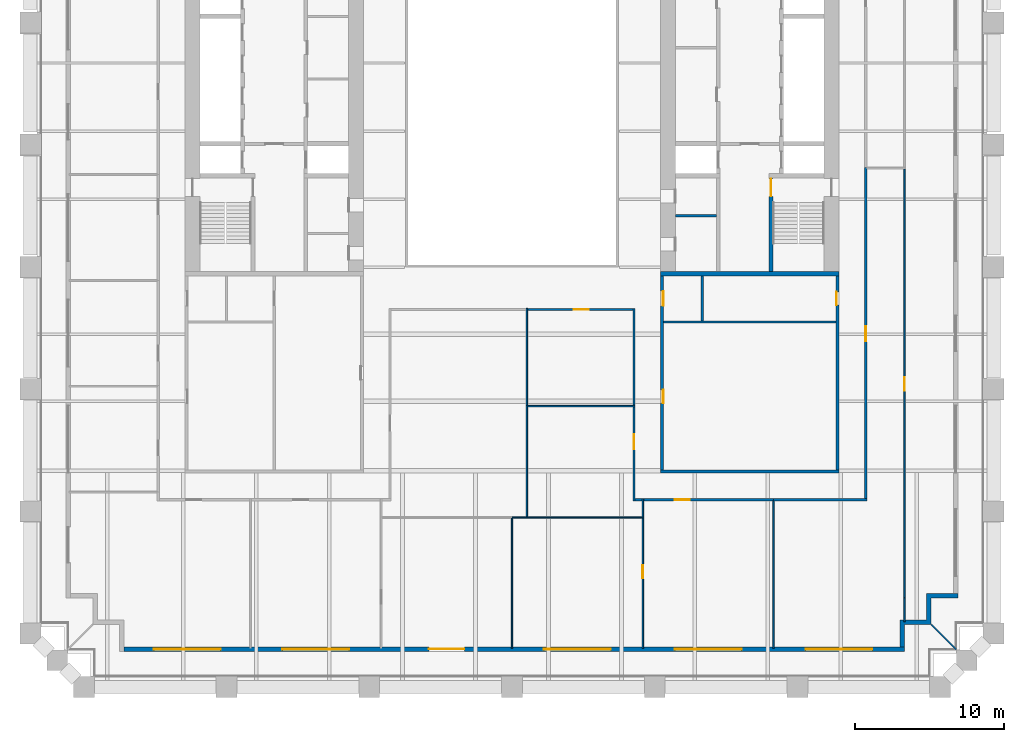
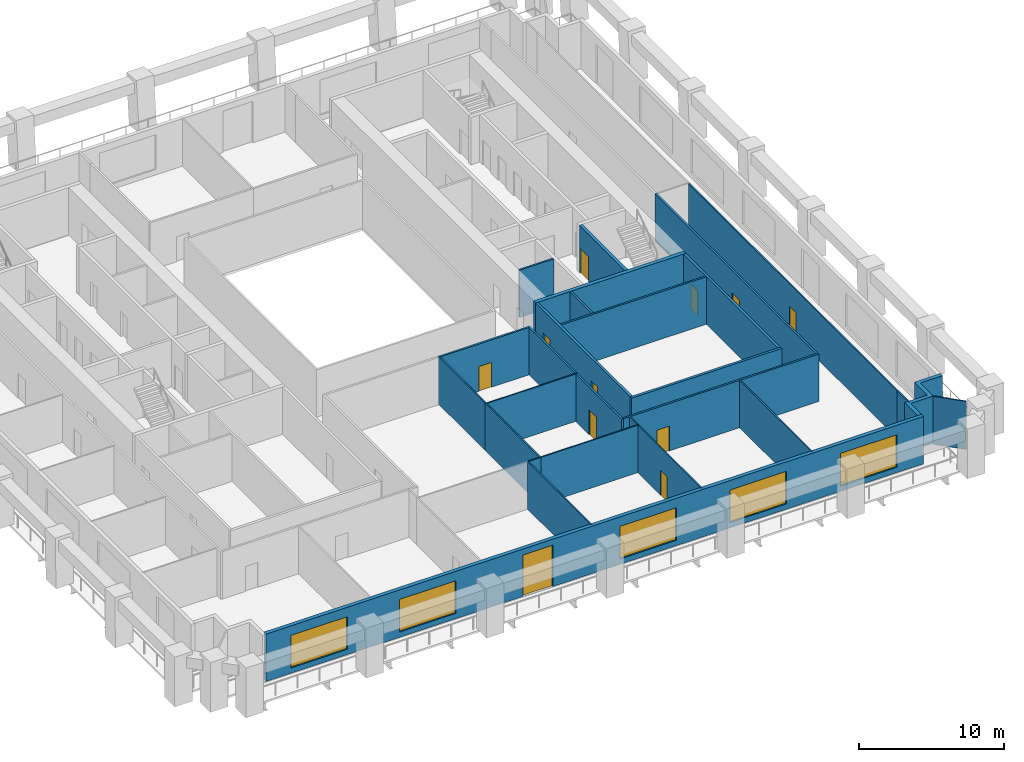
# One storey, part 4 of 10: 29 walls, 11 doors, 5 windows, 16 openings.
"""IFC4 building model written with IfcOpenShell, lengths in metres."""

from ifc_helpers import new_model, si_unit, direction, frame, frame_2d, origin, place, context, subcontext, project, spatial, polyline, rectangle, outline, extrude, material, layer, layer_set, type_object, element, fill, save


model = new_model("IFC4")

# Units and contexts
model_context = context("Model", 3, precision=1e-05, world=origin(), true_north=direction((0.0, 1.0)))
body_context = subcontext(model_context, "Body", "Model", "MODEL_VIEW")
ifc_project = project(units=[si_unit("LENGTHUNIT", "METRE"), si_unit("AREAUNIT", "SQUARE_METRE"), si_unit("VOLUMEUNIT", "CUBIC_METRE"), si_unit("PLANEANGLEUNIT", "RADIAN"), si_unit("MASSUNIT", "GRAM", prefix="KILO")], contexts=[model_context])

# Site, building, storey
site_placement = place(None, origin())
site = spatial("IfcSite", under=ifc_project, at=site_placement, CompositionType="ELEMENT")
building_placement = place(site_placement, origin())
building = spatial("IfcBuilding", under=site, at=building_placement, Name="Ogive Exchange Tower", CompositionType="ELEMENT")
storey_placement = place(building_placement, frame((0.0, 0.0, 64.800048828125)))
storey = spatial("IfcBuildingStorey", under=building, at=storey_placement, Name="L13", CompositionType="ELEMENT", Elevation=64.800048828125)

# Walls
ifc_material_1 = material(Name="Gypsum board partition")
ifc_layer_1 = layer(ifc_material_1, 0.14990234375)
ifc_layer_set_1 = layer_set([ifc_layer_1], Name="Core room partition 150 gypsum")
wall_type_1 = type_object("IfcWallType", Name="Core room partition 150 gypsum", PredefinedType="PARTITIONING", material=ifc_layer_set_1)
wall_1_placement = place(storey_placement, frame((11.0, 1.300048828125, 0.0), z_axis=(0.0, 0.0, 1.0), x_axis=(1.0, 0.0, 0.0)))
element("IfcWall", 1, at=wall_1_placement, inside=storey, type_object=wall_type_1, Name="E south room partition", PredefinedType="PARTITIONING", context=body_context, shape_type="SweptSolid", body=[
    extrude(rectangle(XDim=2.75, YDim=0.14990234375, at=frame_2d((1.375, 0.0))), origin(), (0.0, 0.0, 1.0), 4.0),
])
wall_2_placement = place(storey_placement, frame((10.199951171875, -5.85009765625, 0.0), z_axis=(0.0, 0.0, 1.0), x_axis=(1.0, 0.0, 0.0)))
element("IfcWall", 2, at=wall_2_placement, inside=storey, type_object=wall_type_1, Name="E annex S wc strip wall 00", PredefinedType="PARTITIONING", context=body_context, shape_type="SweptSolid", body=[
    extrude(rectangle(XDim=11.60009765625, YDim=0.14990234375, at=frame_2d((5.800048828125, 0.0))), origin(), (0.0, 0.0, 1.0), 4.0),
])
wall_3_placement = place(storey_placement, frame((12.800048828125, -5.77490234375, 0.0), z_axis=(0.0, 0.0, 1.0), x_axis=(0.0, 1.0, 0.0)))
element("IfcWall", 3, at=wall_3_placement, inside=storey, type_object=wall_type_1, Name="E annex S wc partition 00", PredefinedType="PARTITIONING", context=body_context, shape_type="SweptSolid", body=[
    extrude(rectangle(XDim=3.02490234375, YDim=0.14990234375, at=frame_2d((1.512451171875, 0.0))), origin(), (0.0, 0.0, 1.0), 4.0),
])

# Wall, opening, door
ifc_material_2 = material(Name="Fire partition EI 60 150")
ifc_layer_2 = layer(ifc_material_2, 0.14990234375)
ifc_layer_set_2 = layer_set([ifc_layer_2], Name="Fire partition EI 60 150")
wall_type_2 = type_object("IfcWallType", Name="Fire partition EI 60 150", PredefinedType="PARTITIONING", material=ifc_layer_set_2)
wall_4_placement = place(storey_placement, frame((8.199951171875, -17.875, 0.0), z_axis=(0.0, 0.0, 1.0), x_axis=(0.0, 1.0, 0.0)))
wall_4 = element("IfcWall", 4, at=wall_4_placement, inside=storey, type_object=wall_type_2, Name="L13-PWL-033", PredefinedType="PARTITIONING", context=body_context, shape_type="SweptSolid", body=[
    extrude(rectangle(XDim=6.324951171875, YDim=0.14990234375, at=frame_2d((3.16259765625, 0.0))), origin(), (0.0, 0.0, 1.0), 4.0),
])
opening_1_placement = place(wall_4_placement, frame((3.47509765625, 0.0, 0.0)))
opening_1 = element("IfcOpeningElement", 5, at=opening_1_placement, cuts=wall_4, Name="Opening L13-I07", PredefinedType="OPENING", context=body_context, shape_type="SweptSolid", body=[
    extrude(rectangle(XDim=1.0, YDim=2.10009765625, at=frame_2d((0.5, 1.050048828125))), frame((0.0, 0.0849609375, 0.0), z_axis=(0.0, -1.0, 0.0), x_axis=(1.0, 0.0, 0.0)), (0.0, 0.0, 1.0), 0.169921875),
])
ifc_material_3 = material(Name="Fire door FD 30S 1000 x 2100")
door_type_1 = type_object("IfcDoorType", Name="Fire door FD 30S 1000 x 2100", OperationType="NOTDEFINED", PredefinedType="DOOR", material=ifc_material_3)
door_1_placement = place(opening_1_placement, origin())
door_1 = element("IfcDoor", 6, at=door_1_placement, inside=storey, type_object=door_type_1, Name="L13-IDR-007", ObjectType="DT3", OperationType="SINGLE_SWING_LEFT", OverallHeight=2.10009765625, OverallWidth=1.0, PredefinedType="DOOR", context=body_context, shape_type="SweptSolid", body=[
    extrude(rectangle(XDim=1.0, YDim=2.10009765625, at=frame_2d((0.5, 1.050048828125))), frame((0.0, 0.02490234375, 0.0), z_axis=(0.0, -1.0, 0.0), x_axis=(1.0, 0.0, 0.0)), (0.0, 0.0, 1.0), 0.050048828125),
])
fill(opening_1, door_1)

# Wall
wall_5_placement = place(storey_placement, frame((8.199951171875, -11.449951171875, 0.0), z_axis=(0.0, 0.0, 1.0), x_axis=(0.0, 1.0, 0.0)))
element("IfcWall", 7, at=wall_5_placement, inside=storey, type_object=wall_type_2, Name="L13-PWL-034", PredefinedType="PARTITIONING", context=body_context, shape_type="SweptSolid", body=[
    extrude(rectangle(XDim=6.52490234375, YDim=0.14990234375, at=frame_2d((3.262451171875, 0.0))), origin(), (0.0, 0.0, 1.0), 4.0),
])

# Wall, opening, door
wall_6_placement = place(storey_placement, frame((8.125, -5.0, 0.0), z_axis=(0.0, 0.0, 1.0), x_axis=(-1.0, 0.0, 0.0)))
wall_6 = element("IfcWall", 8, at=wall_6_placement, inside=storey, type_object=wall_type_2, Name="L13-PWL-035", PredefinedType="PARTITIONING", context=body_context, shape_type="SweptSolid", body=[
    extrude(rectangle(XDim=7.074951171875, YDim=0.14990234375, at=frame_2d((3.53759765625, 0.0))), origin(), (0.0, 0.0, 1.0), 4.0),
])
opening_2_placement = place(wall_6_placement, frame((2.97509765625, 0.0, 0.0)))
opening_2 = element("IfcOpeningElement", 9, at=opening_2_placement, cuts=wall_6, Name="Opening L13-I08", PredefinedType="OPENING", context=body_context, shape_type="SweptSolid", body=[
    extrude(rectangle(XDim=1.0, YDim=2.10009765625, at=frame_2d((0.5, 1.050048828125))), frame((0.0, 0.0849609375, 0.0), z_axis=(0.0, -1.0, 0.0), x_axis=(1.0, 0.0, 0.0)), (0.0, 0.0, 1.0), 0.169921875),
])
door_2_placement = place(opening_2_placement, origin())
door_2 = element("IfcDoor", 10, at=door_2_placement, inside=storey, type_object=door_type_1, Name="L13-IDR-008", ObjectType="DT3", OperationType="SINGLE_SWING_RIGHT", OverallHeight=2.10009765625, OverallWidth=1.0, PredefinedType="DOOR", context=body_context, shape_type="SweptSolid", body=[
    extrude(rectangle(XDim=1.0, YDim=2.10009765625, at=frame_2d((0.5, 1.050048828125))), frame((0.0, 0.02490234375, 0.0), z_axis=(0.0, -1.0, 0.0), x_axis=(1.0, 0.0, 0.0)), (0.0, 0.0, 1.0), 0.050048828125),
])
fill(opening_2, door_2)

# Wall
wall_7_placement = place(storey_placement, frame((8.75, -17.800048828125, 0.0), z_axis=(0.0, 0.0, 1.0), x_axis=(-1.0, 0.0, 0.0)))
element("IfcWall", 11, at=wall_7_placement, inside=storey, type_object=wall_type_2, Name="L13-PWL-040", PredefinedType="PARTITIONING", context=body_context, shape_type="SweptSolid", body=[
    extrude(rectangle(XDim=0.47509765625, YDim=0.14990234375, at=frame_2d((0.237548828125, 0.0))), origin(), (0.0, 0.0, 1.0), 4.0),
])

# Wall, opening, door
wall_8_placement = place(storey_placement, frame((17.64990234375, -17.800048828125, 0.0), z_axis=(0.0, 0.0, 1.0), x_axis=(-1.0, 0.0, 0.0)))
wall_8 = element("IfcWall", 12, at=wall_8_placement, inside=storey, type_object=wall_type_2, Name="L13-PWL-041", PredefinedType="PARTITIONING", context=body_context, shape_type="SweptSolid", body=[
    extrude(rectangle(XDim=8.7998046875, YDim=0.14990234375, at=frame_2d((4.39990234375, 0.0))), origin(), (0.0, 0.0, 1.0), 4.0),
])
opening_3_placement = place(wall_8_placement, frame((5.699951171875, 0.0, 0.0)))
opening_3 = element("IfcOpeningElement", 13, at=opening_3_placement, cuts=wall_8, Name="Opening L13-I02", PredefinedType="OPENING", context=body_context, shape_type="SweptSolid", body=[
    extrude(rectangle(XDim=1.0, YDim=2.10009765625, at=frame_2d((0.5, 1.050048828125))), frame((0.0, 0.0849609375, 0.0), z_axis=(0.0, -1.0, 0.0), x_axis=(1.0, 0.0, 0.0)), (0.0, 0.0, 1.0), 0.169921875),
])
door_3_placement = place(opening_3_placement, origin())
door_3 = element("IfcDoor", 14, at=door_3_placement, inside=storey, type_object=door_type_1, Name="L13-IDR-002", ObjectType="DT3", OperationType="SINGLE_SWING_LEFT", OverallHeight=2.10009765625, OverallWidth=1.0, PredefinedType="DOOR", context=body_context, shape_type="SweptSolid", body=[
    extrude(rectangle(XDim=1.0, YDim=2.10009765625, at=frame_2d((0.5, 1.050048828125))), frame((0.0, 0.02490234375, 0.0), z_axis=(0.0, -1.0, 0.0), x_axis=(1.0, 0.0, 0.0)), (0.0, 0.0, 1.0), 0.050048828125),
])
fill(opening_3, door_3)

# Wall
wall_9_placement = place(storey_placement, frame((23.875, -17.800048828125, 0.0), z_axis=(0.0, 0.0, 1.0), x_axis=(-1.0, 0.0, 0.0)))
element("IfcWall", 15, at=wall_9_placement, inside=storey, type_object=wall_type_2, Name="L13-PWL-044", PredefinedType="PARTITIONING", context=body_context, shape_type="SweptSolid", body=[
    extrude(rectangle(XDim=6.27490234375, YDim=0.14990234375, at=frame_2d((3.137451171875, 0.0))), origin(), (0.0, 0.0, 1.0), 4.0),
])

# Wall, opening, door
wall_10_placement = place(storey_placement, frame((23.800048828125, 4.550048828125, 0.0), z_axis=(0.0, 0.0, 1.0), x_axis=(0.0, -1.0, 0.0)))
wall_10 = element("IfcWall", 16, at=wall_10_placement, inside=storey, type_object=wall_type_2, Name="L13-PWL-045", PredefinedType="PARTITIONING", context=body_context, shape_type="SweptSolid", body=[
    extrude(rectangle(XDim=22.275146484375, YDim=0.14990234375, at=frame_2d((11.1376953125, 0.0))), origin(), (0.0, 0.0, 1.0), 4.0),
])
opening_4_placement = place(wall_10_placement, frame((10.699951171875, 0.0, 0.0)))
opening_4 = element("IfcOpeningElement", 17, at=opening_4_placement, cuts=wall_10, Name="Opening L13-I03", PredefinedType="OPENING", context=body_context, shape_type="SweptSolid", body=[
    extrude(rectangle(XDim=1.0, YDim=2.10009765625, at=frame_2d((0.5, 1.050048828125))), frame((0.0, 0.0849609375, 0.0), z_axis=(0.0, -1.0, 0.0), x_axis=(1.0, 0.0, 0.0)), (0.0, 0.0, 1.0), 0.169921875),
])
door_4_placement = place(opening_4_placement, origin())
door_4 = element("IfcDoor", 18, at=door_4_placement, inside=storey, type_object=door_type_1, Name="L13-IDR-003", ObjectType="DT3", OperationType="SINGLE_SWING_RIGHT", OverallHeight=2.10009765625, OverallWidth=1.0, PredefinedType="DOOR", context=body_context, shape_type="SweptSolid", body=[
    extrude(rectangle(XDim=1.0, YDim=2.10009765625, at=frame_2d((0.5, 1.050048828125))), frame((0.0, 0.02490234375, 0.0), z_axis=(0.0, -1.0, 0.0), x_axis=(1.0, 0.0, 0.0)), (0.0, 0.0, 1.0), 0.050048828125),
])
fill(opening_4, door_4)

# Wall, openings, door, windows
ifc_material_4 = material(Name="Precast concrete C40/50", Category="concrete")
ifc_layer_3 = layer(ifc_material_4, 0.300048828125)
ifc_layer_set_3 = layer_set([ifc_layer_3], Name="Limestone-faced wall 300")
wall_type_3 = type_object("IfcWallType", Name="Limestone-faced wall 300", PredefinedType="STANDARD", material=ifc_layer_set_3)
wall_11_placement = place(storey_placement, frame((-26.10009765625, -27.85009765625, 0.0), z_axis=(0.0, 0.0, 1.0), x_axis=(1.0, 0.0, 0.0)))
wall_11 = element("IfcWall", 19, at=wall_11_placement, inside=storey, type_object=wall_type_3, Name="External wall S1", PredefinedType="STANDARD", context=body_context, shape_type="SweptSolid", body=[
    extrude(rectangle(XDim=52.5, YDim=0.300048828125, at=frame_2d((26.25, 0.0))), origin(), (0.0, 0.0, 1.0), 4.0),
])
opening_5_placement = place(wall_11_placement, frame((2.0, 0.0, 0.449951171875)))
opening_5 = element("IfcOpeningElement", 20, at=opening_5_placement, cuts=wall_11, Name="Opening W1H", PredefinedType="OPENING", context=body_context, shape_type="SweptSolid", body=[
    extrude(rectangle(XDim=4.5, YDim=2.75, at=frame_2d((2.25, 1.375))), frame((0.0, 0.159912109375, 0.0), z_axis=(0.0, -1.0, 0.0), x_axis=(1.0, 0.0, 0.0)), (0.0, 0.0, 1.0), 0.320068359375),
])
opening_6_placement = place(wall_11_placement, frame((10.64990234375, 0.0, 0.449951171875)))
opening_6 = element("IfcOpeningElement", 21, at=opening_6_placement, cuts=wall_11, Name="Opening W1H", PredefinedType="OPENING", context=body_context, shape_type="SweptSolid", body=[
    extrude(rectangle(XDim=4.5, YDim=2.75, at=frame_2d((2.25, 1.375))), frame((0.0, 0.159912109375, 0.0), z_axis=(0.0, -1.0, 0.0), x_axis=(1.0, 0.0, 0.0)), (0.0, 0.0, 1.0), 0.320068359375),
])
opening_7_placement = place(wall_11_placement, frame((20.5, 0.0, 0.0)))
opening_7 = element("IfcOpeningElement", 22, at=opening_7_placement, cuts=wall_11, Name="Opening D1", PredefinedType="OPENING", context=body_context, shape_type="SweptSolid", body=[
    extrude(rectangle(XDim=2.39990234375, YDim=3.5, at=frame_2d((1.199951171875, 1.75))), frame((0.0, 0.159912109375, 0.0), z_axis=(0.0, -1.0, 0.0), x_axis=(1.0, 0.0, 0.0)), (0.0, 0.0, 1.0), 0.320068359375),
])
opening_8_placement = place(wall_11_placement, frame((28.25, 0.0, 0.449951171875)))
opening_8 = element("IfcOpeningElement", 23, at=opening_8_placement, cuts=wall_11, Name="Opening W1H", PredefinedType="OPENING", context=body_context, shape_type="SweptSolid", body=[
    extrude(rectangle(XDim=4.5, YDim=2.75, at=frame_2d((2.25, 1.375))), frame((0.0, 0.159912109375, 0.0), z_axis=(0.0, -1.0, 0.0), x_axis=(1.0, 0.0, 0.0)), (0.0, 0.0, 1.0), 0.320068359375),
])
opening_9_placement = place(wall_11_placement, frame((37.050048828125, 0.0, 0.449951171875)))
opening_9 = element("IfcOpeningElement", 24, at=opening_9_placement, cuts=wall_11, Name="Opening W1H", PredefinedType="OPENING", context=body_context, shape_type="SweptSolid", body=[
    extrude(rectangle(XDim=4.5, YDim=2.75, at=frame_2d((2.25, 1.375))), frame((0.0, 0.159912109375, 0.0), z_axis=(0.0, -1.0, 0.0), x_axis=(1.0, 0.0, 0.0)), (0.0, 0.0, 1.0), 0.320068359375),
])
opening_10_placement = place(wall_11_placement, frame((45.85009765625, 0.0, 0.449951171875)))
opening_10 = element("IfcOpeningElement", 25, at=opening_10_placement, cuts=wall_11, Name="Opening W1H", PredefinedType="OPENING", context=body_context, shape_type="SweptSolid", body=[
    extrude(rectangle(XDim=4.5, YDim=2.75, at=frame_2d((2.25, 1.375))), frame((0.0, 0.159912109375, 0.0), z_axis=(0.0, -1.0, 0.0), x_axis=(1.0, 0.0, 0.0)), (0.0, 0.0, 1.0), 0.320068359375),
])
ifc_material_5 = material(Name="Clear glass in bronze frame", Category="glass")
door_type_2 = type_object("IfcDoorType", Name="Sliding loggia door 2400 x 3500", OperationType="DOUBLE_DOOR_SLIDING", PredefinedType="DOOR", material=ifc_material_5)
door_5_placement = place(opening_7_placement, origin())
door_5 = element("IfcDoor", 26, at=door_5_placement, inside=storey, type_object=door_type_2, Name="Loggia door S02", OperationType="DOUBLE_DOOR_SLIDING", OverallHeight=3.5, OverallWidth=2.39990234375, PredefinedType="DOOR", context=body_context, shape_type="SweptSolid", body=[
    extrude(rectangle(XDim=2.39990234375, YDim=3.5, at=frame_2d((1.199951171875, 1.75))), frame((0.0, 0.02490234375, 0.0), z_axis=(0.0, -1.0, 0.0), x_axis=(1.0, 0.0, 0.0)), (0.0, 0.0, 1.0), 0.050048828125),
])
fill(opening_7, door_5)
window_type = type_object("IfcWindowType", Name="Twin lancet window 4500 x 2750", PartitioningType="DOUBLE_PANEL_VERTICAL", PredefinedType="WINDOW", material=ifc_material_5)
window_1_placement = place(opening_5_placement, origin())
window_1 = element("IfcWindow", 27, at=window_1_placement, inside=storey, type_object=window_type, Name="Window S00", OverallHeight=2.75, OverallWidth=4.5, PartitioningType="DOUBLE_PANEL_VERTICAL", PredefinedType="WINDOW", context=body_context, shape_type="SweptSolid", body=[
    extrude(rectangle(XDim=4.5, YDim=2.75, at=frame_2d((2.25, 1.375))), frame((0.0, 0.030029296875, 0.0), z_axis=(0.0, -1.0, 0.0), x_axis=(1.0, 0.0, 0.0)), (0.0, 0.0, 1.0), 0.06005859375),
])
fill(opening_5, window_1)
window_2_placement = place(opening_6_placement, origin())
window_2 = element("IfcWindow", 28, at=window_2_placement, inside=storey, type_object=window_type, Name="Window S01", OverallHeight=2.75, OverallWidth=4.5, PartitioningType="DOUBLE_PANEL_VERTICAL", PredefinedType="WINDOW", context=body_context, shape_type="SweptSolid", body=[
    extrude(rectangle(XDim=4.5, YDim=2.75, at=frame_2d((2.25, 1.375))), frame((0.0, 0.030029296875, 0.0), z_axis=(0.0, -1.0, 0.0), x_axis=(1.0, 0.0, 0.0)), (0.0, 0.0, 1.0), 0.06005859375),
])
fill(opening_6, window_2)
window_3_placement = place(opening_8_placement, origin())
window_3 = element("IfcWindow", 29, at=window_3_placement, inside=storey, type_object=window_type, Name="Window S03", OverallHeight=2.75, OverallWidth=4.5, PartitioningType="DOUBLE_PANEL_VERTICAL", PredefinedType="WINDOW", context=body_context, shape_type="SweptSolid", body=[
    extrude(rectangle(XDim=4.5, YDim=2.75, at=frame_2d((2.25, 1.375))), frame((0.0, 0.030029296875, 0.0), z_axis=(0.0, -1.0, 0.0), x_axis=(1.0, 0.0, 0.0)), (0.0, 0.0, 1.0), 0.06005859375),
])
fill(opening_8, window_3)
window_4_placement = place(opening_9_placement, origin())
window_4 = element("IfcWindow", 30, at=window_4_placement, inside=storey, type_object=window_type, Name="Window S04", OverallHeight=2.75, OverallWidth=4.5, PartitioningType="DOUBLE_PANEL_VERTICAL", PredefinedType="WINDOW", context=body_context, shape_type="SweptSolid", body=[
    extrude(rectangle(XDim=4.5, YDim=2.75, at=frame_2d((2.25, 1.375))), frame((0.0, 0.030029296875, 0.0), z_axis=(0.0, -1.0, 0.0), x_axis=(1.0, 0.0, 0.0)), (0.0, 0.0, 1.0), 0.06005859375),
])
fill(opening_9, window_4)
window_5_placement = place(opening_10_placement, origin())
window_5 = element("IfcWindow", 31, at=window_5_placement, inside=storey, type_object=window_type, Name="Window S05", OverallHeight=2.75, OverallWidth=4.5, PartitioningType="DOUBLE_PANEL_VERTICAL", PredefinedType="WINDOW", context=body_context, shape_type="SweptSolid", body=[
    extrude(rectangle(XDim=4.5, YDim=2.75, at=frame_2d((2.25, 1.375))), frame((0.0, 0.030029296875, 0.0), z_axis=(0.0, -1.0, 0.0), x_axis=(1.0, 0.0, 0.0)), (0.0, 0.0, 1.0), 0.06005859375),
])
fill(opening_10, window_5)

# Walls
wall_12_placement = place(storey_placement, origin())
element("IfcWall", 32, at=wall_12_placement, inside=storey, type_object=wall_type_3, Name="External corner wall C1", PredefinedType="STANDARD", context=body_context, shape_type="SweptSolid", body=[
    extrude(outline(polyline([(27.89990234375, -25.89990234375), (27.89990234375, -24.10009765625), (30.0, -24.10009765625), (30.0, -24.39990234375), (28.199951171875, -24.39990234375), (28.199951171875, -26.199951171875), (26.39990234375, -26.199951171875), (26.39990234375, -27.699951171875), (26.10009765625, -27.699951171875), (26.10009765625, -25.89990234375), (27.89990234375, -25.89990234375)])), origin(), (0.0, 0.0, 1.0), 4.0),
])
ifc_material_6 = material(Name="Laminated safety glass in steel frame", Category="steel")
ifc_layer_4 = layer(ifc_material_6, 0.10009765625)
ifc_layer_set_4 = layer_set([ifc_layer_4], Name="Loggia end screen 100")
wall_type_4 = type_object("IfcWallType", Name="Loggia end screen 100", PredefinedType="STANDARD", material=ifc_layer_set_4)
wall_13_placement = place(storey_placement, frame((28.199951171875, -26.199951171875, -0.050048828125), z_axis=(0.0, 0.0, 1.0), x_axis=(0.707106781187, -0.707106781187, 0.0)))
element("IfcWall", 33, at=wall_13_placement, inside=storey, type_object=wall_type_4, Name="Loggia end screen C1", PredefinedType="STANDARD", context=body_context, shape_type="SweptSolid", body=[
    extrude(rectangle(XDim=2.384521484375, YDim=0.10009765625, at=frame_2d((1.1923828125, 0.0))), origin(), (0.0, 0.0, 1.0), 4.050048828125),
])
ifc_material_7 = material(Name="Partition 100 gypsum")
ifc_layer_5 = layer(ifc_material_7, 0.10009765625)
ifc_layer_set_5 = layer_set([ifc_layer_5], Name="Partition 100 gypsum")
wall_type_5 = type_object("IfcWallType", Name="Partition 100 gypsum", PredefinedType="PARTITIONING", material=ifc_layer_set_5)
wall_14_placement = place(storey_placement, frame((0.0, -19.050048828125, 0.0), z_axis=(0.0, 0.0, 1.0), x_axis=(0.0, -1.0, 0.0)))
element("IfcWall", 34, at=wall_14_placement, inside=storey, type_object=wall_type_5, Name="L13-PWL-024", PredefinedType="PARTITIONING", context=body_context, shape_type="SweptSolid", body=[
    extrude(rectangle(XDim=8.75, YDim=0.10009765625, at=frame_2d((4.375, 0.0))), origin(), (0.0, 0.0, 1.0), 4.0),
])
wall_15_placement = place(storey_placement, frame((0.0, -19.0, 0.0), z_axis=(0.0, 0.0, 1.0), x_axis=(1.0, 0.0, 0.0)))
element("IfcWall", 35, at=wall_15_placement, inside=storey, type_object=wall_type_5, Name="L13-PWL-025", PredefinedType="PARTITIONING", context=body_context, shape_type="SweptSolid", body=[
    extrude(rectangle(XDim=1.0, YDim=0.10009765625, at=frame_2d((0.5, 0.0))), origin(), (0.0, 0.0, 1.0), 4.0),
])
wall_16_placement = place(storey_placement, frame((1.0, -18.949951171875, 0.0), z_axis=(0.0, 0.0, 1.0), x_axis=(0.0, 1.0, 0.0)))
element("IfcWall", 36, at=wall_16_placement, inside=storey, type_object=wall_type_5, Name="L13-PWL-028", PredefinedType="PARTITIONING", context=body_context, shape_type="SweptSolid", body=[
    extrude(rectangle(XDim=7.5, YDim=0.10009765625, at=frame_2d((3.75, 0.0))), origin(), (0.0, 0.0, 1.0), 4.0),
])
wall_17_placement = place(storey_placement, frame((1.0, -19.0, 0.0), z_axis=(0.0, 0.0, 1.0), x_axis=(1.0, 0.0, 0.0)))
element("IfcWall", 37, at=wall_17_placement, inside=storey, type_object=wall_type_5, Name="L13-PWL-029", PredefinedType="PARTITIONING", context=body_context, shape_type="SweptSolid", body=[
    extrude(rectangle(XDim=7.85009765625, YDim=0.10009765625, at=frame_2d((3.925048828125, 0.0))), origin(), (0.0, 0.0, 1.0), 4.0),
])
wall_18_placement = place(storey_placement, frame((1.0, -11.449951171875, 0.0), z_axis=(0.0, 0.0, 1.0), x_axis=(0.0, 1.0, 0.0)))
element("IfcWall", 38, at=wall_18_placement, inside=storey, type_object=wall_type_5, Name="L13-PWL-030", PredefinedType="PARTITIONING", context=body_context, shape_type="SweptSolid", body=[
    extrude(rectangle(XDim=6.52490234375, YDim=0.10009765625, at=frame_2d((3.262451171875, 0.0))), origin(), (0.0, 0.0, 1.0), 4.0),
])
wall_19_placement = place(storey_placement, frame((1.050048828125, -11.5, 0.0), z_axis=(0.0, 0.0, 1.0), x_axis=(1.0, 0.0, 0.0)))
element("IfcWall", 39, at=wall_19_placement, inside=storey, type_object=wall_type_5, Name="L13-PWL-031", PredefinedType="PARTITIONING", context=body_context, shape_type="SweptSolid", body=[
    extrude(rectangle(XDim=7.224853515625, YDim=0.10009765625, at=frame_2d((3.6123046875, 0.0))), origin(), (0.0, 0.0, 1.0), 4.0),
])

# Wall, opening, door
wall_20_placement = place(storey_placement, frame((8.800048828125, -27.800048828125, 0.0), z_axis=(0.0, 0.0, 1.0), x_axis=(0.0, 1.0, 0.0)))
wall_20 = element("IfcWall", 40, at=wall_20_placement, inside=storey, type_object=wall_type_5, Name="L13-PWL-038", PredefinedType="PARTITIONING", context=body_context, shape_type="SweptSolid", body=[
    extrude(rectangle(XDim=8.75, YDim=0.10009765625, at=frame_2d((4.375, 0.0))), origin(), (0.0, 0.0, 1.0), 4.0),
])
opening_11_placement = place(wall_20_placement, frame((4.699951171875, 0.0, 0.0)))
opening_11 = element("IfcOpeningElement", 41, at=opening_11_placement, cuts=wall_20, Name="Opening L13-I06", PredefinedType="OPENING", context=body_context, shape_type="SweptSolid", body=[
    extrude(rectangle(XDim=0.89990234375, YDim=2.10009765625, at=frame_2d((0.449951171875, 1.050048828125))), frame((0.0, 0.06005859375, 0.0), z_axis=(0.0, -1.0, 0.0), x_axis=(1.0, 0.0, 0.0)), (0.0, 0.0, 1.0), 0.1201171875),
])
ifc_material_8 = material(Name="Door 900 x 2100")
door_type_3 = type_object("IfcDoorType", Name="Door 900 x 2100", OperationType="NOTDEFINED", PredefinedType="DOOR", material=ifc_material_8)
door_6_placement = place(opening_11_placement, origin())
door_6 = element("IfcDoor", 42, at=door_6_placement, inside=storey, type_object=door_type_3, Name="L13-IDR-006", ObjectType="DT1", OperationType="SINGLE_SWING_LEFT", OverallHeight=2.10009765625, OverallWidth=0.89990234375, PredefinedType="DOOR", context=body_context, shape_type="SweptSolid", body=[
    extrude(rectangle(XDim=0.89990234375, YDim=2.10009765625, at=frame_2d((0.449951171875, 1.050048828125))), frame((0.0, 0.02490234375, 0.0), z_axis=(0.0, -1.0, 0.0), x_axis=(1.0, 0.0, 0.0)), (0.0, 0.0, 1.0), 0.050048828125),
])
fill(opening_11, door_6)

# Walls
wall_21_placement = place(storey_placement, frame((8.800048828125, -18.949951171875, 0.0), z_axis=(0.0, 0.0, 1.0), x_axis=(0.0, 1.0, 0.0)))
element("IfcWall", 43, at=wall_21_placement, inside=storey, type_object=wall_type_5, Name="L13-PWL-039", PredefinedType="PARTITIONING", context=body_context, shape_type="SweptSolid", body=[
    extrude(rectangle(XDim=1.224853515625, YDim=0.10009765625, at=frame_2d((0.6123046875, 0.0))), origin(), (0.0, 0.0, 1.0), 4.0),
])
wall_22_placement = place(storey_placement, frame((17.60009765625, -17.875, 0.0), z_axis=(0.0, 0.0, 1.0), x_axis=(0.0, -1.0, 0.0)))
element("IfcWall", 44, at=wall_22_placement, inside=storey, type_object=wall_type_5, Name="L13-PWL-042", PredefinedType="PARTITIONING", context=body_context, shape_type="SweptSolid", body=[
    extrude(rectangle(XDim=9.925048828125, YDim=0.10009765625, at=frame_2d((4.96240234375, 0.0))), origin(), (0.0, 0.0, 1.0), 4.0),
])

# Wall, opening, door
wall_23_placement = place(storey_placement, frame((26.39990234375, -24.409912109375, 0.0), z_axis=(0.0, 0.0, 1.0), x_axis=(0.0, 1.0, 0.0)))
wall_23 = element("IfcWall", 45, at=wall_23_placement, inside=storey, type_object=wall_type_5, Name="L13-PWL-048", PredefinedType="PARTITIONING", context=body_context, shape_type="SweptSolid", body=[
    extrude(rectangle(XDim=28.85986328125, YDim=0.10009765625, at=frame_2d((14.429931640625, 0.0))), origin(), (0.0, 0.0, 1.0), 4.0),
])
opening_12_placement = place(wall_23_placement, frame((13.949951171875, 0.0, 0.0)))
opening_12 = element("IfcOpeningElement", 46, at=opening_12_placement, cuts=wall_23, Name="Opening L13-I01", PredefinedType="OPENING", context=body_context, shape_type="SweptSolid", body=[
    extrude(rectangle(XDim=0.89990234375, YDim=2.10009765625, at=frame_2d((0.449951171875, 1.050048828125))), frame((0.0, 0.06005859375, 0.0), z_axis=(0.0, -1.0, 0.0), x_axis=(1.0, 0.0, 0.0)), (0.0, 0.0, 1.0), 0.1201171875),
])
door_7_placement = place(opening_12_placement, origin())
door_7 = element("IfcDoor", 47, at=door_7_placement, inside=storey, type_object=door_type_3, Name="L13-IDR-001", ObjectType="DT1", OperationType="SINGLE_SWING_RIGHT", OverallHeight=2.10009765625, OverallWidth=0.89990234375, PredefinedType="DOOR", context=body_context, shape_type="SweptSolid", body=[
    extrude(rectangle(XDim=0.89990234375, YDim=2.10009765625, at=frame_2d((0.449951171875, 1.050048828125))), frame((0.0, 0.02490234375, 0.0), z_axis=(0.0, -1.0, 0.0), x_axis=(1.0, 0.0, 0.0)), (0.0, 0.0, 1.0), 0.050048828125),
])
fill(opening_12, door_7)

# Wall
wall_24_placement = place(storey_placement, frame((26.409912109375, -26.0, 0.0), z_axis=(0.0, 0.0, 1.0), x_axis=(0.0, 1.0, 0.0)))
element("IfcWall", 48, at=wall_24_placement, inside=storey, type_object=wall_type_5, Name="L13-PWL-050", PredefinedType="PARTITIONING", context=body_context, shape_type="SweptSolid", body=[
    extrude(rectangle(XDim=1.590087890625, YDim=0.10009765625, at=frame_2d((0.794921875, 0.0))), origin(), (0.0, 0.0, 1.0), 4.0),
])

# Wall, opening, door
ifc_material_9 = material(Name="Concrete C70/85", Category="concrete")
ifc_layer_6 = layer(ifc_material_9, 0.199951171875)
ifc_layer_set_6 = layer_set([ifc_layer_6], Name="RC core wall 200 C70/85")
wall_type_6 = type_object("IfcWallType", Name="RC core wall 200 C70/85", PredefinedType="SHEAR", material=ifc_layer_set_6)
wall_25_placement = place(storey_placement, frame((21.89990234375, -15.800048828125, 0.0), z_axis=(0.0, 0.0, 1.0), x_axis=(0.0, 1.0, 0.0)))
wall_25 = element("IfcWall", 49, at=wall_25_placement, inside=storey, type_object=wall_type_6, Name="E annex S outer wall", PredefinedType="SHEAR", context=body_context, shape_type="SweptSolid", body=[
    extrude(rectangle(XDim=13.050048828125, YDim=0.199951171875, at=frame_2d((6.52490234375, 0.0))), origin(), (0.0, 0.0, 1.0), 4.0),
])
opening_13_placement = place(wall_25_placement, frame((11.08740234375, 0.0, 0.0)))
opening_13 = element("IfcOpeningElement", 50, at=opening_13_placement, cuts=wall_25, Name="Opening L13-C44", PredefinedType="OPENING", context=body_context, shape_type="SweptSolid", body=[
    extrude(rectangle(XDim=0.89990234375, YDim=2.10009765625, at=frame_2d((0.449951171875, 1.050048828125))), frame((0.0, 0.10986328125, 0.0), z_axis=(0.0, -1.0, 0.0), x_axis=(1.0, 0.0, 0.0)), (0.0, 0.0, 1.0), 0.219970703125),
])
ifc_material_10 = material(Name="Steel fire door", Category="steel")
door_type_4 = type_object("IfcDoorType", Name="Riser door FD60 900 x 2100", OperationType="NOTDEFINED", PredefinedType="DOOR", material=ifc_material_10)
door_8_placement = place(opening_13_placement, origin())
door_8 = element("IfcDoor", 51, at=door_8_placement, inside=storey, type_object=door_type_4, Name="Riser door", ObjectType="CD2", OperationType="SINGLE_SWING_LEFT", OverallHeight=2.10009765625, OverallWidth=0.89990234375, PredefinedType="DOOR", context=body_context, shape_type="SweptSolid", body=[
    extrude(rectangle(XDim=0.89990234375, YDim=2.10009765625, at=frame_2d((0.449951171875, 1.050048828125))), frame((0.0, 0.10009765625, 0.0), z_axis=(0.0, -1.0, 0.0), x_axis=(1.0, 0.0, 0.0)), (0.0, 0.0, 1.0), 0.050048828125),
])
fill(opening_13, door_8)

# Wall, openings, doors
wall_26_placement = place(storey_placement, frame((10.10009765625, -15.800048828125, 0.0), z_axis=(0.0, 0.0, 1.0), x_axis=(0.0, 1.0, 0.0)))
wall_26 = element("IfcWall", 52, at=wall_26_placement, inside=storey, type_object=wall_type_6, Name="E annex S inner wall", PredefinedType="SHEAR", context=body_context, shape_type="SweptSolid", body=[
    extrude(rectangle(XDim=13.050048828125, YDim=0.199951171875, at=frame_2d((6.52490234375, 0.0))), origin(), (0.0, 0.0, 1.0), 4.0),
])
opening_14_placement = place(wall_26_placement, frame((4.487548828125, 0.0, 0.0)))
opening_14 = element("IfcOpeningElement", 53, at=opening_14_placement, cuts=wall_26, Name="Opening L13-C42", PredefinedType="OPENING", context=body_context, shape_type="SweptSolid", body=[
    extrude(rectangle(XDim=0.89990234375, YDim=2.10009765625, at=frame_2d((0.449951171875, 1.050048828125))), frame((0.0, 0.10986328125, 0.0), z_axis=(0.0, -1.0, 0.0), x_axis=(1.0, 0.0, 0.0)), (0.0, 0.0, 1.0), 0.219970703125),
])
opening_15_placement = place(wall_26_placement, frame((11.03759765625, 0.0, 0.0)))
opening_15 = element("IfcOpeningElement", 54, at=opening_15_placement, cuts=wall_26, Name="Opening L13-C43", PredefinedType="OPENING", context=body_context, shape_type="SweptSolid", body=[
    extrude(rectangle(XDim=1.0, YDim=2.10009765625, at=frame_2d((0.5, 1.050048828125))), frame((0.0, 0.10986328125, 0.0), z_axis=(0.0, -1.0, 0.0), x_axis=(1.0, 0.0, 0.0)), (0.0, 0.0, 1.0), 0.219970703125),
])
ifc_material_11 = material(Name="Timber fire door", Category="wood")
door_type_5 = type_object("IfcDoorType", Name="Accessible WC door FD30S 1000 x 2100", OperationType="NOTDEFINED", PredefinedType="DOOR", material=ifc_material_11)
door_9_placement = place(opening_15_placement, frame((1.0, -0.14990234375, 0.0), z_axis=(0.0, 0.0, 1.0), x_axis=(-1.0, 0.0, 0.0)))
door_9 = element("IfcDoor", 55, at=door_9_placement, inside=storey, type_object=door_type_5, Name="Accessible WC door", ObjectType="CD7", OperationType="SINGLE_SWING_LEFT", OverallHeight=2.10009765625, OverallWidth=1.0, PredefinedType="DOOR", context=body_context, shape_type="SweptSolid", body=[
    extrude(rectangle(XDim=1.0, YDim=2.10009765625, at=frame_2d((0.5, 1.050048828125))), frame((0.0, -0.0498046875, 0.0), z_axis=(0.0, -1.0, 0.0), x_axis=(1.0, 0.0, 0.0)), (0.0, 0.0, 1.0), 0.050048828125),
])
fill(opening_15, door_9)
door_10_placement = place(opening_14_placement, frame((0.89990234375, -0.14990234375, 0.0), z_axis=(0.0, 0.0, 1.0), x_axis=(-1.0, 0.0, 0.0)))
door_10 = element("IfcDoor", 56, at=door_10_placement, inside=storey, type_object=door_type_4, Name="Riser door", ObjectType="CD2", OperationType="SINGLE_SWING_LEFT", OverallHeight=2.10009765625, OverallWidth=0.89990234375, PredefinedType="DOOR", context=body_context, shape_type="SweptSolid", body=[
    extrude(rectangle(XDim=0.89990234375, YDim=2.10009765625, at=frame_2d((0.449951171875, 1.050048828125))), frame((0.0, -0.0498046875, 0.0), z_axis=(0.0, -1.0, 0.0), x_axis=(1.0, 0.0, 0.0)), (0.0, 0.0, 1.0), 0.050048828125),
])
fill(opening_14, door_10)

# Wall
wall_27_placement = place(storey_placement, frame((10.0, -15.89990234375, 0.0), z_axis=(0.0, 0.0, 1.0), x_axis=(1.0, 0.0, 0.0)))
element("IfcWall", 57, at=wall_27_placement, inside=storey, type_object=wall_type_6, Name="E annex S end wall", PredefinedType="SHEAR", context=body_context, shape_type="SweptSolid", body=[
    extrude(rectangle(XDim=12.0, YDim=0.199951171875, at=frame_2d((6.0, 0.0))), origin(), (0.0, 0.0, 1.0), 4.0),
])

# Wall, opening, door
ifc_layer_7 = layer(ifc_material_9, 0.25)
ifc_layer_set_7 = layer_set([ifc_layer_7], Name="RC core wall 250 C70/85")
wall_type_7 = type_object("IfcWallType", Name="RC core wall 250 C70/85", PredefinedType="SHEAR", material=ifc_layer_set_7)
wall_28_placement = place(storey_placement, frame((17.425048828125, -2.449951171875, 0.0), z_axis=(0.0, 0.0, 1.0), x_axis=(0.0, 1.0, 0.0)))
wall_28 = element("IfcWall", 58, at=wall_28_placement, inside=storey, type_object=wall_type_7, Name="E stair S front wall", PredefinedType="SHEAR", context=body_context, shape_type="SweptSolid", body=[
    extrude(rectangle(XDim=6.300048828125, YDim=0.25, at=frame_2d((3.14990234375, 0.0))), origin(), (0.0, 0.0, 1.0), 4.0),
])
opening_16_placement = place(wall_28_placement, frame((5.050048828125, 0.0, 0.0)))
opening_16 = element("IfcOpeningElement", 59, at=opening_16_placement, cuts=wall_28, Name="Opening L13-C36", PredefinedType="OPENING", context=body_context, shape_type="SweptSolid", body=[
    extrude(rectangle(XDim=1.199951171875, YDim=2.10009765625, at=frame_2d((0.60009765625, 1.050048828125))), frame((0.0, 0.135009765625, 0.0), z_axis=(0.0, -1.0, 0.0), x_axis=(1.0, 0.0, 0.0)), (0.0, 0.0, 1.0), 0.27001953125),
])
door_type_6 = type_object("IfcDoorType", Name="Stair door FD90 1200 x 2100", OperationType="NOTDEFINED", PredefinedType="DOOR", material=ifc_material_10)
door_11_placement = place(opening_16_placement, frame((1.199951171875, 0.0, 0.0), z_axis=(0.0, 0.0, 1.0), x_axis=(-1.0, 0.0, 0.0)))
door_11 = element("IfcDoor", 60, at=door_11_placement, inside=storey, type_object=door_type_6, Name="Stair door", ObjectType="CD5", OperationType="SINGLE_SWING_RIGHT", OverallHeight=2.10009765625, OverallWidth=1.199951171875, PredefinedType="DOOR", context=body_context, shape_type="SweptSolid", body=[
    extrude(rectangle(XDim=1.199951171875, YDim=2.10009765625, at=frame_2d((0.60009765625, 1.050048828125))), frame((0.0, 0.02490234375, 0.0), z_axis=(0.0, -1.0, 0.0), x_axis=(1.0, 0.0, 0.0)), (0.0, 0.0, 1.0), 0.050048828125),
])
fill(opening_16, door_11)

# Wall
ifc_layer_8 = layer(ifc_material_9, 0.300048828125)
ifc_layer_set_8 = layer_set([ifc_layer_8], Name="RC core wall 300 C70/85")
wall_type_8 = type_object("IfcWallType", Name="RC core wall 300 C70/85", PredefinedType="SHEAR", material=ifc_layer_set_8)
wall_29_placement = place(storey_placement, frame((10.0, -2.60009765625, 0.0), z_axis=(0.0, 0.0, 1.0), x_axis=(1.0, 0.0, 0.0)))
element("IfcWall", 61, at=wall_29_placement, inside=storey, type_object=wall_type_8, Name="E south end wall", PredefinedType="SHEAR", context=body_context, shape_type="SweptSolid", body=[
    extrude(rectangle(XDim=12.0, YDim=0.300048828125, at=frame_2d((6.0, 0.0))), origin(), (0.0, 0.0, 1.0), 4.0),
])

save(model, "model.ifc")
